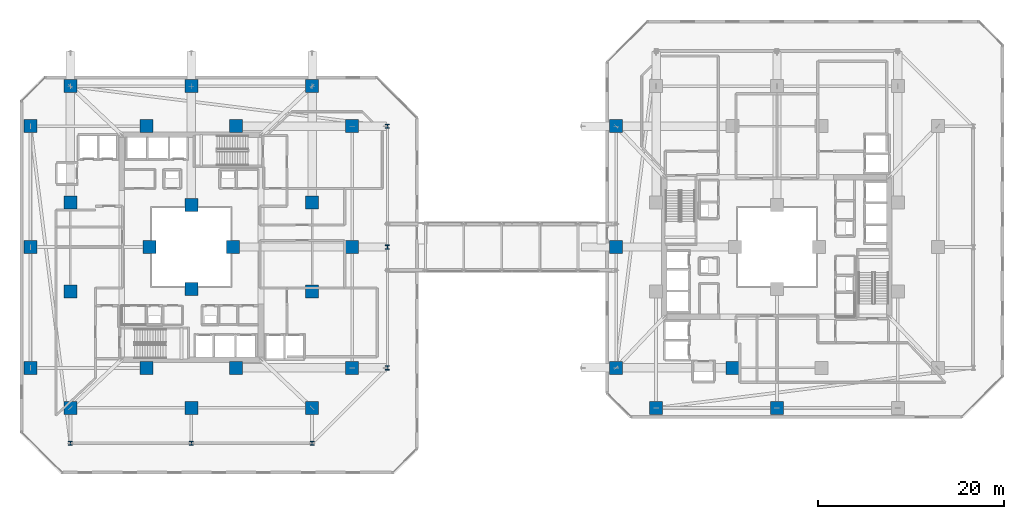
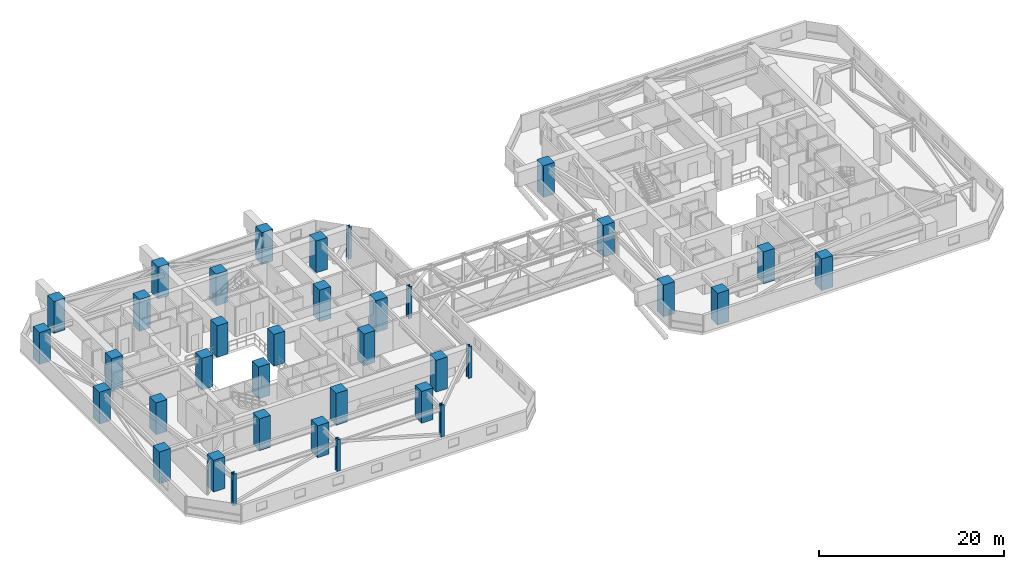
# One storey, part 1 of 38: 36 columns.
"""IFC4 building model written with IfcOpenShell, lengths in metres."""

from ifc_helpers import new_model, si_unit, direction, frame, origin, origin_2d, place, context, subcontext, project, spatial, rectangle, i_section, extrude, material, material_profile, profile_set, type_object, element, save


model = new_model("IFC4")

# Units and contexts
model_context = context("Model", 3, precision=1e-05, world=origin(), true_north=direction((0.0, 1.0)))
body_context = subcontext(model_context, "Body", "Model", "MODEL_VIEW")
ifc_project = project(units=[si_unit("LENGTHUNIT", "METRE"), si_unit("AREAUNIT", "SQUARE_METRE"), si_unit("VOLUMEUNIT", "CUBIC_METRE"), si_unit("PLANEANGLEUNIT", "RADIAN"), si_unit("MASSUNIT", "GRAM", prefix="KILO")], contexts=[model_context])

# Site, building, storey
site_placement = place(None, origin())
site = spatial("IfcSite", under=ifc_project, at=site_placement, CompositionType="ELEMENT")
building_placement = place(site_placement, origin())
building = spatial("IfcBuilding", under=site, at=building_placement, Name="Thornwick Lancets Civic Towers", CompositionType="ELEMENT")
storey_placement = place(building_placement, frame((0.0, 0.0, 71.699951171875)))
storey = spatial("IfcBuildingStorey", under=building, at=storey_placement, Name="L18", CompositionType="ELEMENT", Elevation=71.699951171875)

# Columns
ifc_material_1 = material(Name="Concrete C60/75", Category="concrete")
ifc_material_profile_1 = material_profile(ifc_material_1, rectangle(XDim=1.39990234375, YDim=1.39990234375, at=origin_2d()), Name="RC 1400x1400")
ifc_profile_set_1 = profile_set([ifc_material_profile_1], Name="Concrete C60/75")
column_type_1 = type_object("IfcColumnType", Name="COL_RC_1400", PredefinedType="COLUMN", material=ifc_profile_set_1)
for number, where, z_axis, x_axis, name in (
    (1, (12.5, 9.699951171875, 0.0), (0.0, 0.0, 1.0), (1.0, 0.0, 0.0), "L18 Spine Mega-Column A01"),
    (2, (25.5, 9.699951171875, 0.0), (0.0, 0.0, 1.0), (1.0, 0.0, 0.0), "L18 Spine Mega-Column A02"),
    (3, (38.5, 9.699951171875, 0.0), (0.0, 0.0, 1.0), (1.0, 0.0, 0.0), "L18 Spine Mega-Column A03"),
    (4, (42.800048828125, 14.0, 0.0), (0.0, 0.0, 1.0), (1.0, 0.0, 0.0), "L18 Spine Mega-Column A04"),
    (5, (42.800048828125, 27.0, 0.0), (0.0, 0.0, 1.0), (1.0, 0.0, 0.0), "L18 Spine Mega-Column A05"),
    (6, (42.800048828125, 40.0, 0.0), (0.0, 0.0, 1.0), (1.0, 0.0, 0.0), "L18 Spine Mega-Column A06"),
    (7, (12.5, 44.300048828125, 0.0), (0.0, 0.0, 1.0), (1.0, 0.0, 0.0), "L18 Spine Mega-Column A07"),
    (8, (25.5, 44.300048828125, 0.0), (0.0, 0.0, 1.0), (1.0, 0.0, 0.0), "L18 Spine Mega-Column A08"),
    (9, (38.5, 44.300048828125, 0.0), (0.0, 0.0, 1.0), (1.0, 0.0, 0.0), "L18 Spine Mega-Column A09"),
    (10, (8.199951171875, 14.0, 0.0), (0.0, 0.0, 1.0), (1.0, 0.0, 0.0), "L18 Spine Mega-Column A10"),
    (11, (8.199951171875, 27.0, 0.0), (0.0, 0.0, 1.0), (1.0, 0.0, 0.0), "L18 Spine Mega-Column A11"),
    (12, (8.199951171875, 40.0, 0.0), (0.0, 0.0, 1.0), (1.0, 0.0, 0.0), "L18 Spine Mega-Column A12"),
    (13, (12.5, 22.199951171875, 0.0), (0.0, 0.0, 1.0), (1.0, 0.0, 0.0), "L18 Spine Mega-Column A13"),
    (14, (38.5, 22.199951171875, 0.0), (0.0, 0.0, 1.0), (1.0, 0.0, 0.0), "L18 Spine Mega-Column A14"),
    (15, (12.5, 31.800048828125, 0.0), (0.0, 0.0, 1.0), (1.0, 0.0, 0.0), "L18 Spine Mega-Column A15"),
    (16, (38.5, 31.800048828125, 0.0), (0.0, 0.0, 1.0), (1.0, 0.0, 0.0), "L18 Spine Mega-Column A16"),
    (17, (20.699951171875, 14.0, 0.0), (0.0, 0.0, 1.0), (1.0, 0.0, 0.0), "L18 Spine Mega-Column A17"),
    (18, (30.300048828125, 14.0, 0.0), (0.0, 0.0, 1.0), (1.0, 0.0, 0.0), "L18 Spine Mega-Column A18"),
    (19, (20.699951171875, 40.0, 0.0), (0.0, 0.0, 1.0), (1.0, 0.0, 0.0), "L18 Spine Mega-Column A19"),
    (20, (30.300048828125, 40.0, 0.0), (0.0, 0.0, 1.0), (1.0, 0.0, 0.0), "L18 Spine Mega-Column A20"),
    (21, (25.5, 22.5, 0.0), (0.0, 0.0, 1.0), (1.0, 0.0, 0.0), "L18 Spine Mega-Column A21"),
    (22, (25.5, 31.5, 0.0), (0.0, 0.0, 1.0), (1.0, 0.0, 0.0), "L18 Spine Mega-Column A22"),
    (23, (21.0, 27.0, 0.0), (0.0, 0.0, 1.0), (1.0, 0.0, 0.0), "L18 Spine Mega-Column A23"),
    (24, (30.0, 27.0, 0.0), (0.0, 0.0, 1.0), (1.0, 0.0, 0.0), "L18 Spine Mega-Column A24"),
    (25, (71.199951171875, 14.0, 0.0), (0.0, 0.0, 1.0), (1.0, 0.0, 0.0), "L18 Spine Mega-Column B07"),
    (26, (71.199951171875, 27.0, 0.0), (0.0, 0.0, 1.0), (1.0, 0.0, 0.0), "L18 Spine Mega-Column B08"),
    (27, (71.199951171875, 40.0, 0.0), (0.0, 0.0, 1.0), (1.0, 0.0, 0.0), "L18 Spine Mega-Column B09"),
    (28, (88.5, 9.699951171875, 0.0), (0.0, 0.0, 1.0), (1.0, 0.0, 0.0), "L18 Spine Mega-Column B11"),
    (29, (75.5, 9.699951171875, 0.0), (0.0, 0.0, 1.0), (1.0, 0.0, 0.0), "L18 Spine Mega-Column B12"),
    (30, (83.699951171875, 14.0, 0.0), (0.0, 0.0, 1.0), (1.0, 0.0, 0.0), "L18 Spine Mega-Column B15"),
):
    element("IfcColumn", number, at=place(storey_placement, frame(where, z_axis=z_axis, x_axis=x_axis)), inside=storey, type_object=column_type_1, Name=name, PredefinedType="COLUMN", context=body_context, shape_type="SweptSolid", body=[
        extrude(rectangle(XDim=1.39990234375, YDim=1.39990234375, at=origin_2d()), origin(), (0.0, 0.0, 1.0), 4.199951171875),
    ])
ifc_material_2 = material(Name="Steel S460M", Category="steel")
ifc_material_profile_2 = material_profile(ifc_material_2, i_section(OverallWidth=0.424072265625, OverallDepth=0.474609375, WebThickness=0.047607421875, FlangeThickness=0.076904296875, FilletRadius=0.01513671875, at=origin_2d()), Name="UKC 356x406x634")
ifc_profile_set_2 = profile_set([ifc_material_profile_2], Name="Steel S460M")
column_type_2 = type_object("IfcColumnType", Name="COL_UKC_634", PredefinedType="COLUMN", material=ifc_profile_set_2)
for number, where, z_axis, x_axis, name in (
    (31, (12.5, 5.89990234375, 0.0), (0.0, 0.0, 1.0), (1.0, 0.0, 0.0), "L18 Block Perimeter Column A01"),
    (32, (25.5, 5.89990234375, 0.0), (0.0, 0.0, 1.0), (1.0, 0.0, 0.0), "L18 Block Perimeter Column A02"),
    (33, (38.5, 5.89990234375, 0.0), (0.0, 0.0, 1.0), (1.0, 0.0, 0.0), "L18 Block Perimeter Column A03"),
    (34, (46.60009765625, 14.0, 0.0), (0.0, 0.0, 1.0), (1.0, 0.0, 0.0), "L18 Block Perimeter Column A04"),
    (35, (46.60009765625, 27.0, 0.0), (0.0, 0.0, 1.0), (1.0, 0.0, 0.0), "L18 Block Perimeter Column A05"),
    (36, (46.60009765625, 40.0, 0.0), (0.0, 0.0, 1.0), (1.0, 0.0, 0.0), "L18 Block Perimeter Column A06"),
):
    element("IfcColumn", number, at=place(storey_placement, frame(where, z_axis=z_axis, x_axis=x_axis)), inside=storey, type_object=column_type_2, Name=name, PredefinedType="COLUMN", context=body_context, shape_type="SweptSolid", body=[
        extrude(i_section(OverallWidth=0.424072265625, OverallDepth=0.474609375, WebThickness=0.047607421875, FlangeThickness=0.076904296875, FilletRadius=0.01513671875, at=origin_2d()), origin(), (0.0, 0.0, 1.0), 4.199951171875),
    ])

save(model, "model.ifc")
